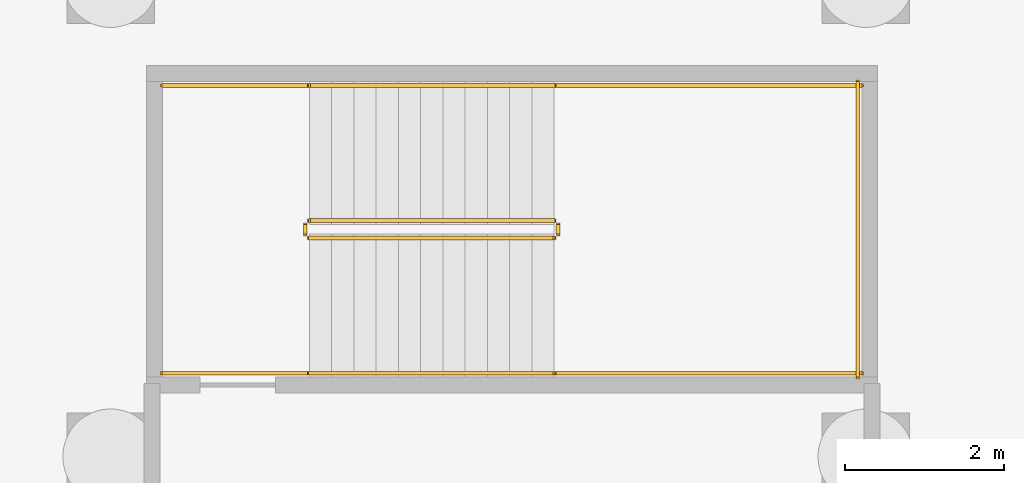
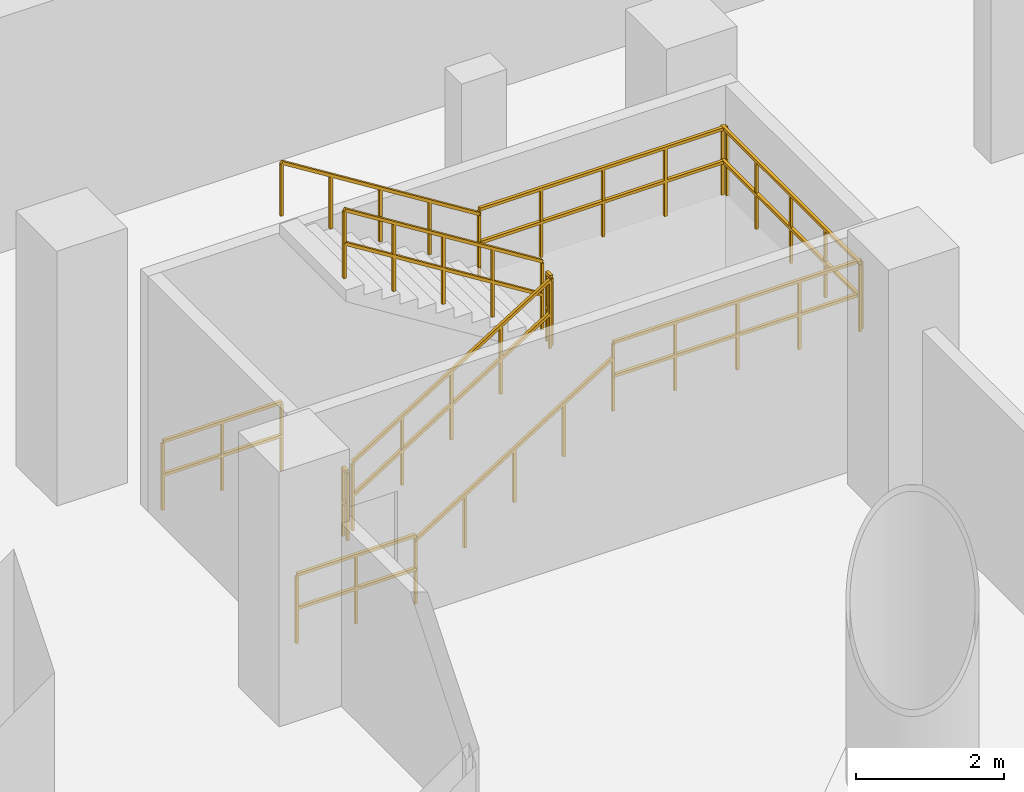
# One storey, part 9 of 11: 11 railings.
"""IFC4 building model written with IfcOpenShell, lengths in metres."""

from ifc_helpers import new_model, si_unit, direction, frame, origin, origin_2d, place, context, subcontext, project, spatial, rectangle, extrude, material, type_object, element, save


model = new_model("IFC4")

# Units and contexts
model_context = context("Model", 3, precision=1e-05, world=origin(), true_north=direction((-0.2419218956, 0.970295726276)))
body_context = subcontext(model_context, "Body", "Model", "MODEL_VIEW")
ifc_project = project(units=[si_unit("LENGTHUNIT", "METRE"), si_unit("AREAUNIT", "SQUARE_METRE"), si_unit("VOLUMEUNIT", "CUBIC_METRE"), si_unit("PLANEANGLEUNIT", "RADIAN"), si_unit("MASSUNIT", "GRAM", prefix="KILO")], contexts=[model_context])

# Site, building, storey
site_placement = place(None, origin())
site = spatial("IfcSite", under=ifc_project, at=site_placement, CompositionType="ELEMENT")
building_placement = place(site_placement, origin())
building = spatial("IfcBuilding", under=site, at=building_placement, Name="Cobrevalo Terracotta Tower", CompositionType="ELEMENT")
storey_placement = place(building_placement, frame((0.0, 0.0, -8.39990234375)))
storey = spatial("IfcBuildingStorey", under=building, at=storey_placement, Name="B02", CompositionType="ELEMENT", Elevation=-8.39990234375)

# Railings
ifc_material_1 = material(Name="Brushed stainless steel", Category="steel")
railing_type_1 = type_object("IfcRailingType", Name="Stainless Steel Stair Handrail 900", PredefinedType="HANDRAIL", material=ifc_material_1)
railing_1_placement = place(storey_placement, frame((11.5, 45.85009765625, 0.1748046875)))
element("IfcRailing", 1, at=railing_1_placement, inside=storey, type_object=railing_type_1, Name="B02 ST-P1 stair handrail 1", PredefinedType="HANDRAIL", context=body_context, shape_type="SweptSolid", body=[
    extrude(rectangle(XDim=0.048095703125, YDim=0.048095703125, at=origin_2d()), frame((0.0, 0.0, 0.8759765625), z_axis=(0.847998304005, 0.0, 0.529998940003), x_axis=(0.0, 1.0, 0.0)), (0.0, 0.0, 1.0), 3.632080078125),
    extrude(rectangle(XDim=0.0419921875, YDim=0.0419921875, at=origin_2d()), origin(), (0.0, 0.0, 1.0), 0.851806640625),
    extrude(rectangle(XDim=0.0419921875, YDim=0.0419921875, at=origin_2d()), frame((0.77001953125, 0.0, 0.481201171875)), (0.0, 0.0, 1.0), 0.851806640625),
    extrude(rectangle(XDim=0.0419921875, YDim=0.0419921875, at=origin_2d()), frame((1.5400390625, 0.0, 0.96240234375)), (0.0, 0.0, 1.0), 0.851806640625),
    extrude(rectangle(XDim=0.0419921875, YDim=0.0419921875, at=origin_2d()), frame((2.31005859375, 0.0, 1.44384765625)), (0.0, 0.0, 1.0), 0.851806640625),
    extrude(rectangle(XDim=0.0419921875, YDim=0.0419921875, at=origin_2d()), frame((3.080078125, 0.0, 1.925048828125)), (0.0, 0.0, 1.0), 0.851806640625),
])
railing_2_placement = place(storey_placement, frame((14.580078125, 49.469970703125, 2.27490234375)))
element("IfcRailing", 2, at=railing_2_placement, inside=storey, type_object=railing_type_1, Name="B02 ST-P1 stair handrail 2", PredefinedType="HANDRAIL", context=body_context, shape_type="SweptSolid", body=[
    extrude(rectangle(XDim=0.048095703125, YDim=0.048095703125, at=origin_2d()), frame((0.0, 0.0, 0.8759765625), z_axis=(-0.847998304005, 0.0, 0.529998940003), x_axis=(0.0, -1.0, 0.0)), (0.0, 0.0, 1.0), 3.632080078125),
    extrude(rectangle(XDim=0.0419921875, YDim=0.0419921875, at=origin_2d()), origin(), (0.0, 0.0, 1.0), 0.851806640625),
    extrude(rectangle(XDim=0.0419921875, YDim=0.0419921875, at=origin_2d()), frame((-0.77001953125, 0.0, 0.481201171875)), (0.0, 0.0, 1.0), 0.851806640625),
    extrude(rectangle(XDim=0.0419921875, YDim=0.0419921875, at=origin_2d()), frame((-1.5400390625, 0.0, 0.96240234375)), (0.0, 0.0, 1.0), 0.851806640625),
    extrude(rectangle(XDim=0.0419921875, YDim=0.0419921875, at=origin_2d()), frame((-2.31005859375, 0.0, 1.44384765625)), (0.0, 0.0, 1.0), 0.851806640625),
    extrude(rectangle(XDim=0.0419921875, YDim=0.0419921875, at=origin_2d()), frame((-3.080078125, 0.0, 1.925048828125)), (0.0, 0.0, 1.0), 0.851806640625),
])
ifc_material_2 = material(Name="Painted galvanized steel", Category="steel")
railing_type_2 = type_object("IfcRailingType", Name="Stair Well Guard Balustrade 1150", PredefinedType="GUARDRAIL", material=ifc_material_2)
railing_3_placement = place(storey_placement, frame((11.5, 47.550048828125, 0.1748046875)))
element("IfcRailing", 3, at=railing_3_placement, inside=storey, type_object=railing_type_2, Name="B02 ST-P1 stair guard 1", PredefinedType="GUARDRAIL", context=body_context, shape_type="SweptSolid", body=[
    extrude(rectangle(XDim=0.048095703125, YDim=0.048095703125, at=origin_2d()), frame((0.0, 0.0, 1.1259765625), z_axis=(0.847998304005, 0.0, 0.529998940003), x_axis=(0.0, 1.0, 0.0)), (0.0, 0.0, 1.0), 3.632080078125),
    extrude(rectangle(XDim=0.048095703125, YDim=0.048095703125, at=origin_2d()), frame((0.0, 0.0, 0.574951171875), z_axis=(0.847998304005, 0.0, 0.529998940003), x_axis=(0.0, 1.0, 0.0)), (0.0, 0.0, 1.0), 3.632080078125),
    extrude(rectangle(XDim=0.0419921875, YDim=0.0419921875, at=origin_2d()), origin(), (0.0, 0.0, 1.0), 1.101806640625),
    extrude(rectangle(XDim=0.0419921875, YDim=0.0419921875, at=origin_2d()), frame((0.77001953125, 0.0, 0.481201171875)), (0.0, 0.0, 1.0), 1.101806640625),
    extrude(rectangle(XDim=0.0419921875, YDim=0.0419921875, at=origin_2d()), frame((1.5400390625, 0.0, 0.96240234375)), (0.0, 0.0, 1.0), 1.101806640625),
    extrude(rectangle(XDim=0.0419921875, YDim=0.0419921875, at=origin_2d()), frame((2.31005859375, 0.0, 1.44384765625)), (0.0, 0.0, 1.0), 1.101806640625),
    extrude(rectangle(XDim=0.0419921875, YDim=0.0419921875, at=origin_2d()), frame((3.080078125, 0.0, 1.925048828125)), (0.0, 0.0, 1.0), 1.101806640625),
])
railing_4_placement = place(storey_placement, frame((14.6298828125, 47.60009765625, 2.099853515625)))
element("IfcRailing", 4, at=railing_4_placement, inside=storey, type_object=railing_type_2, Name="B02 ST-P1 stair guard 2", PredefinedType="GUARDRAIL", context=body_context, shape_type="SweptSolid", body=[
    extrude(rectangle(XDim=0.048095703125, YDim=0.048095703125, at=origin_2d()), frame((0.0, 0.0, 1.1259765625), z_axis=(0.0, 1.0, 0.0), x_axis=(-1.0, 0.0, 0.0)), (0.0, 0.0, 1.0), 0.119873046875),
    extrude(rectangle(XDim=0.048095703125, YDim=0.048095703125, at=origin_2d()), frame((0.0, 0.0, 0.574951171875), z_axis=(0.0, 1.0, 0.0), x_axis=(-1.0, 0.0, 0.0)), (0.0, 0.0, 1.0), 0.119873046875),
    extrude(rectangle(XDim=0.0419921875, YDim=0.0419921875, at=origin_2d()), origin(), (0.0, 0.0, 1.0), 1.101806640625),
    extrude(rectangle(XDim=0.0419921875, YDim=0.0419921875, at=origin_2d()), frame((0.0, 0.119873046875, 0.0)), (0.0, 0.0, 1.0), 1.101806640625),
])
for number, where, name in (
    (5, (14.580078125, 45.85009765625, 2.099853515625), "B02 ST-P1 stair guard 3"),
    (6, (14.580078125, 49.469970703125, 2.099853515625), "B02 ST-P1 stair guard 4"),
):
    element("IfcRailing", number, at=place(storey_placement, frame(where)), inside=storey, type_object=railing_type_2, Name=name, PredefinedType="GUARDRAIL", context=body_context, shape_type="SweptSolid", body=[
        extrude(rectangle(XDim=0.048095703125, YDim=0.048095703125, at=origin_2d()), frame((0.0, 0.0, 1.1259765625), z_axis=(1.0, 0.0, 0.0), x_axis=(0.0, 1.0, 0.0)), (0.0, 0.0, 1.0), 3.869873046875),
        extrude(rectangle(XDim=0.048095703125, YDim=0.048095703125, at=origin_2d()), frame((0.0, 0.0, 0.574951171875), z_axis=(1.0, 0.0, 0.0), x_axis=(0.0, 1.0, 0.0)), (0.0, 0.0, 1.0), 3.869873046875),
        extrude(rectangle(XDim=0.0419921875, YDim=0.0419921875, at=origin_2d()), origin(), (0.0, 0.0, 1.0), 1.101806640625),
        extrude(rectangle(XDim=0.0419921875, YDim=0.0419921875, at=origin_2d()), frame((0.967529296875, 0.0, 0.0)), (0.0, 0.0, 1.0), 1.101806640625),
        extrude(rectangle(XDim=0.0419921875, YDim=0.0419921875, at=origin_2d()), frame((1.93505859375, 0.0, 0.0)), (0.0, 0.0, 1.0), 1.101806640625),
        extrude(rectangle(XDim=0.0419921875, YDim=0.0419921875, at=origin_2d()), frame((2.90234375, 0.0, 0.0)), (0.0, 0.0, 1.0), 1.101806640625),
        extrude(rectangle(XDim=0.0419921875, YDim=0.0419921875, at=origin_2d()), frame((3.869873046875, 0.0, 0.0)), (0.0, 0.0, 1.0), 1.101806640625),
    ])
railing_5_placement = place(storey_placement, frame((18.39990234375, 45.800048828125, 2.099853515625)))
element("IfcRailing", 7, at=railing_5_placement, inside=storey, type_object=railing_type_2, Name="B02 ST-P1 stair guard 5", PredefinedType="GUARDRAIL", context=body_context, shape_type="SweptSolid", body=[
    extrude(rectangle(XDim=0.048095703125, YDim=0.048095703125, at=origin_2d()), frame((0.0, 0.0, 1.1259765625), z_axis=(0.0, 1.0, 0.0), x_axis=(-1.0, 0.0, 0.0)), (0.0, 0.0, 1.0), 3.719970703125),
    extrude(rectangle(XDim=0.048095703125, YDim=0.048095703125, at=origin_2d()), frame((0.0, 0.0, 0.574951171875), z_axis=(0.0, 1.0, 0.0), x_axis=(-1.0, 0.0, 0.0)), (0.0, 0.0, 1.0), 3.719970703125),
    extrude(rectangle(XDim=0.0419921875, YDim=0.0419921875, at=origin_2d()), origin(), (0.0, 0.0, 1.0), 1.101806640625),
    extrude(rectangle(XDim=0.0419921875, YDim=0.0419921875, at=origin_2d()), frame((0.0, 0.929931640625, 0.0)), (0.0, 0.0, 1.0), 1.101806640625),
    extrude(rectangle(XDim=0.0419921875, YDim=0.0419921875, at=origin_2d()), frame((0.0, 1.85986328125, 0.0)), (0.0, 0.0, 1.0), 1.101806640625),
    extrude(rectangle(XDim=0.0419921875, YDim=0.0419921875, at=origin_2d()), frame((0.0, 2.7900390625, 0.0)), (0.0, 0.0, 1.0), 1.101806640625),
    extrude(rectangle(XDim=0.0419921875, YDim=0.0419921875, at=origin_2d()), frame((0.0, 3.719970703125, 0.0)), (0.0, 0.0, 1.0), 1.101806640625),
])
railing_6_placement = place(storey_placement, frame((14.580078125, 47.77001953125, 2.27490234375)))
element("IfcRailing", 8, at=railing_6_placement, inside=storey, type_object=railing_type_2, Name="B02 ST-P1 stair guard 6", PredefinedType="GUARDRAIL", context=body_context, shape_type="SweptSolid", body=[
    extrude(rectangle(XDim=0.048095703125, YDim=0.048095703125, at=origin_2d()), frame((0.0, 0.0, 1.1259765625), z_axis=(-0.847998304005, 0.0, 0.529998940003), x_axis=(0.0, -1.0, 0.0)), (0.0, 0.0, 1.0), 3.632080078125),
    extrude(rectangle(XDim=0.048095703125, YDim=0.048095703125, at=origin_2d()), frame((0.0, 0.0, 0.574951171875), z_axis=(-0.847998304005, 0.0, 0.529998940003), x_axis=(0.0, -1.0, 0.0)), (0.0, 0.0, 1.0), 3.632080078125),
    extrude(rectangle(XDim=0.0419921875, YDim=0.0419921875, at=origin_2d()), origin(), (0.0, 0.0, 1.0), 1.101806640625),
    extrude(rectangle(XDim=0.0419921875, YDim=0.0419921875, at=origin_2d()), frame((-0.77001953125, 0.0, 0.481201171875)), (0.0, 0.0, 1.0), 1.101806640625),
    extrude(rectangle(XDim=0.0419921875, YDim=0.0419921875, at=origin_2d()), frame((-1.5400390625, 0.0, 0.96240234375)), (0.0, 0.0, 1.0), 1.101806640625),
    extrude(rectangle(XDim=0.0419921875, YDim=0.0419921875, at=origin_2d()), frame((-2.31005859375, 0.0, 1.44384765625)), (0.0, 0.0, 1.0), 1.101806640625),
    extrude(rectangle(XDim=0.0419921875, YDim=0.0419921875, at=origin_2d()), frame((-3.080078125, 0.0, 1.925048828125)), (0.0, 0.0, 1.0), 1.101806640625),
])
railing_7_placement = place(storey_placement, frame((11.449951171875, 47.60009765625, 0.0)))
element("IfcRailing", 9, at=railing_7_placement, inside=storey, type_object=railing_type_2, Name="B02 ST-P1 stair guard 7", PredefinedType="GUARDRAIL", context=body_context, shape_type="SweptSolid", body=[
    extrude(rectangle(XDim=0.048095703125, YDim=0.048095703125, at=origin_2d()), frame((0.0, 0.0, 1.1259765625), z_axis=(0.0, 1.0, 0.0), x_axis=(-1.0, 0.0, 0.0)), (0.0, 0.0, 1.0), 0.119873046875),
    extrude(rectangle(XDim=0.048095703125, YDim=0.048095703125, at=origin_2d()), frame((0.0, 0.0, 0.574951171875), z_axis=(0.0, 1.0, 0.0), x_axis=(-1.0, 0.0, 0.0)), (0.0, 0.0, 1.0), 0.119873046875),
    extrude(rectangle(XDim=0.0419921875, YDim=0.0419921875, at=origin_2d()), origin(), (0.0, 0.0, 1.0), 1.101806640625),
    extrude(rectangle(XDim=0.0419921875, YDim=0.0419921875, at=origin_2d()), frame((0.0, 0.119873046875, 0.0)), (0.0, 0.0, 1.0), 1.101806640625),
])
for number, where, name in (
    (10, (9.64990234375, 45.85009765625, 0.0), "B02 ST-P1 stair guard 8"),
    (11, (9.64990234375, 49.469970703125, 0.0), "B02 ST-P1 stair guard 9"),
):
    element("IfcRailing", number, at=place(storey_placement, frame(where)), inside=storey, type_object=railing_type_2, Name=name, PredefinedType="GUARDRAIL", context=body_context, shape_type="SweptSolid", body=[
        extrude(rectangle(XDim=0.048095703125, YDim=0.048095703125, at=origin_2d()), frame((0.0, 0.0, 1.1259765625), z_axis=(1.0, 0.0, 0.0), x_axis=(0.0, 1.0, 0.0)), (0.0, 0.0, 1.0), 1.85009765625),
        extrude(rectangle(XDim=0.048095703125, YDim=0.048095703125, at=origin_2d()), frame((0.0, 0.0, 0.574951171875), z_axis=(1.0, 0.0, 0.0), x_axis=(0.0, 1.0, 0.0)), (0.0, 0.0, 1.0), 1.85009765625),
        extrude(rectangle(XDim=0.0419921875, YDim=0.0419921875, at=origin_2d()), origin(), (0.0, 0.0, 1.0), 1.101806640625),
        extrude(rectangle(XDim=0.0419921875, YDim=0.0419921875, at=origin_2d()), frame((0.925048828125, 0.0, 0.0)), (0.0, 0.0, 1.0), 1.101806640625),
        extrude(rectangle(XDim=0.0419921875, YDim=0.0419921875, at=origin_2d()), frame((1.85009765625, 0.0, 0.0)), (0.0, 0.0, 1.0), 1.101806640625),
    ])

save(model, "model.ifc")
